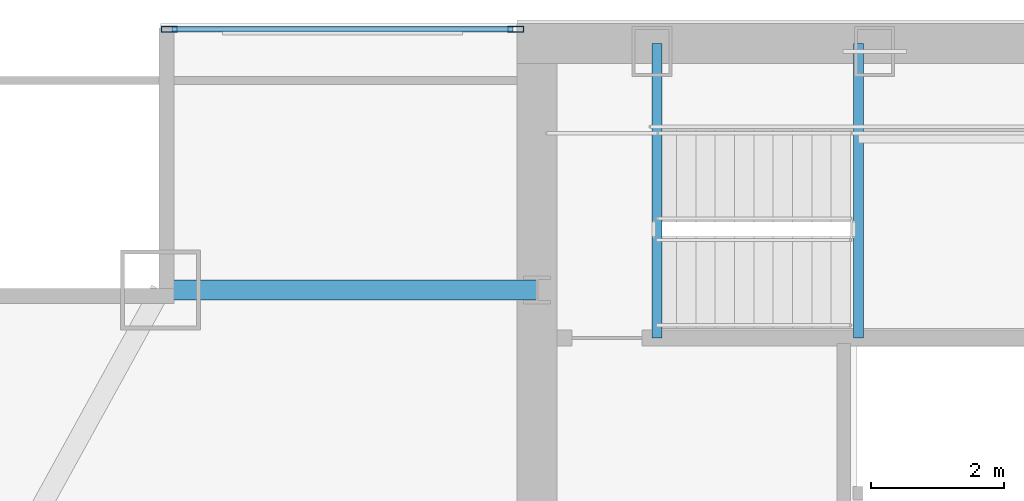
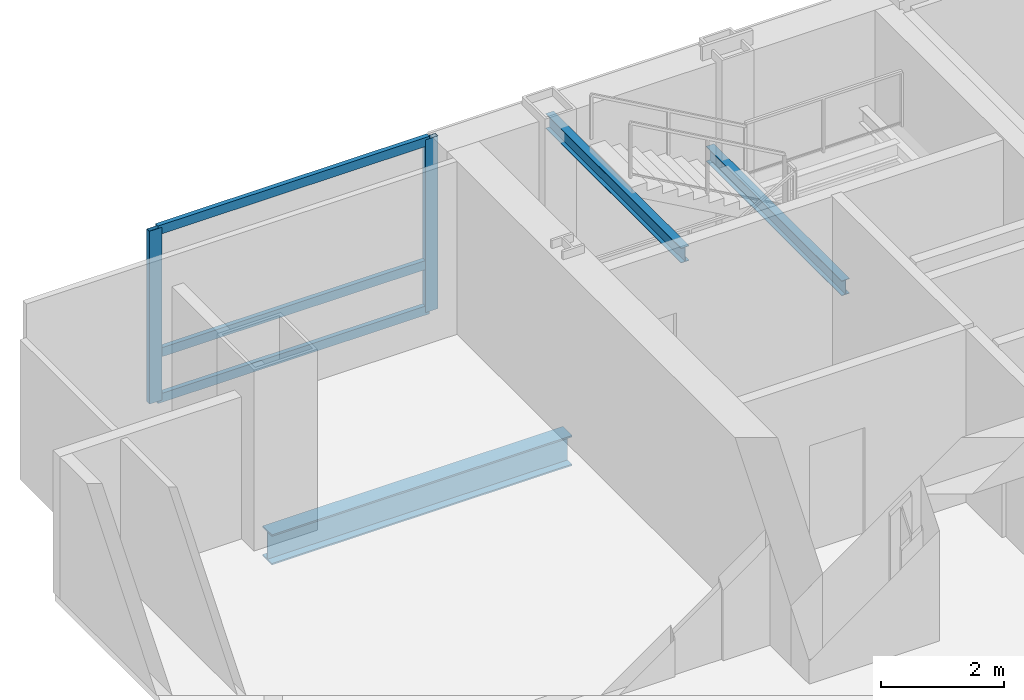
# One storey, part 23 of 32: 5 members, 3 beams, 1 element without a shape of its own.
"""IFC4 building model written with IfcOpenShell, lengths in metres."""

from ifc_helpers import new_model, si_unit, direction, frame, origin, origin_2d, place, context, subcontext, project, spatial, hollow_rectangle, i_section, extrude, material, material_profile, profile_set, type_object, element, aggregate, save


model = new_model("IFC4")

# Units and contexts
model_context = context("Model", 3, precision=1e-05, world=origin(), true_north=direction((0.0, 1.0)))
body_context = subcontext(model_context, "Body", "Model", "MODEL_VIEW")
ifc_project = project(units=[si_unit("LENGTHUNIT", "METRE"), si_unit("AREAUNIT", "SQUARE_METRE"), si_unit("VOLUMEUNIT", "CUBIC_METRE"), si_unit("PLANEANGLEUNIT", "RADIAN"), si_unit("MASSUNIT", "GRAM", prefix="KILO")], contexts=[model_context])

# Site, building, storey
site_placement = place(None, origin())
site = spatial("IfcSite", under=ifc_project, at=site_placement, CompositionType="ELEMENT")
building_placement = place(site_placement, origin())
building = spatial("IfcBuilding", under=site, at=building_placement, Name="Khoronbel Lancet Exchange", CompositionType="ELEMENT")
storey_placement = place(building_placement, frame((0.0, 0.0, 228.199951171875)))
storey = spatial("IfcBuildingStorey", under=building, at=storey_placement, Name="L58", CompositionType="ELEMENT", Elevation=228.199951171875)

# Beams
ifc_material_1 = material(Name="Steel S355", Category="steel")
ifc_material_profile_1 = material_profile(ifc_material_1, i_section(OverallWidth=0.14990234375, OverallDepth=0.300048828125, WebThickness=0.007080078125, FlangeThickness=0.0107421875, at=origin_2d()), Name="IPE 300")
ifc_profile_set_1 = profile_set([ifc_material_profile_1], Name="Steel S355")
beam_type_1 = type_object("IfcBeamType", Name="BM-BJ8", PredefinedType="JOIST", material=ifc_profile_set_1)
for number, where, z_axis, x_axis, name in (
    (1, (21.320068359375, 48.97998046875, 1.449951171875), (0.0, 1.0, 0.0), (-1.0, 0.0, 0.0), "Level L58 stair ST1 landing bearer beam 1"),
    (2, (18.300048828125, 48.97998046875, 3.16015625), (0.0, 1.0, 0.0), (-1.0, 0.0, 0.0), "Level L58 stair ST1 upper-flight arrival trimmer beam"),
):
    element("IfcBeam", number, at=place(storey_placement, frame(where, z_axis=z_axis, x_axis=x_axis)), inside=storey, type_object=beam_type_1, Name=name, PredefinedType="JOIST", context=body_context, shape_type="SweptSolid", body=[
        extrude(i_section(OverallWidth=0.14990234375, OverallDepth=0.300048828125, WebThickness=0.007080078125, FlangeThickness=0.0107421875, at=origin_2d()), origin(), (0.0, 0.0, 1.0), 4.419921875),
    ])
ifc_material_profile_2 = material_profile(ifc_material_1, i_section(OverallWidth=0.300048828125, OverallDepth=0.60009765625, WebThickness=0.015380859375, FlangeThickness=0.030029296875, at=origin_2d()), Name="HEB 600")
ifc_profile_set_2 = profile_set([ifc_material_profile_2], Name="Steel S355")
beam_type_2 = type_object("IfcBeamType", Name="BM-BSP2", PredefinedType="SPANDREL", material=ifc_profile_set_2)
beam_placement = place(storey_placement, frame((10.85009765625, 49.699951171875, -0.4599609375), z_axis=(1.0, 0.0, 0.0), x_axis=(0.0, 1.0, 0.0)))
element("IfcBeam", 3, at=beam_placement, inside=storey, type_object=beam_type_2, Name="Level L58 north flank tie spandrel SP22", PredefinedType="SPANDREL", context=body_context, shape_type="SweptSolid", body=[
    extrude(i_section(OverallWidth=0.300048828125, OverallDepth=0.60009765625, WebThickness=0.015380859375, FlangeThickness=0.030029296875, at=origin_2d()), origin(), (0.0, 0.0, 1.0), 5.64990234375),
])

# Curtain wall, members
ifc_material_2 = material(Name="Low-E Solar Control Insulating Glass", Category="glass")
curtain_wall_type = type_object("IfcCurtainWallType", Name="CW-3", PredefinedType="NOTDEFINED", material=ifc_material_2)
curtain_wall_placement = place(storey_placement, origin())
curtain_wall = element("IfcCurtainWall", 4, at=curtain_wall_placement, inside=storey, type_object=curtain_wall_type, Name="Unitised curtain wall CW-L58-NWFLK", PredefinedType="NOTDEFINED")
ifc_material_3 = material(Name="Bronze-Anodised Aluminium 6063-T6", Category="aluminium")
ifc_material_profile_3 = material_profile(ifc_material_3, hollow_rectangle(XDim=0.0849609375, YDim=0.239990234375, WallThickness=0.006103515625, at=origin_2d()), Name="ALU MULLION 85x240")
ifc_profile_set_3 = profile_set([ifc_material_profile_3], Name="Bronze-Anodised Aluminium 6063-T6")
member_type_1 = type_object("IfcMemberType", Name="MEM-CWM1", PredefinedType="MULLION", material=ifc_profile_set_3)
member_1_placement = place(storey_placement, frame((16.177490234375, 53.610107421875, 0.0), z_axis=(0.0, 0.0, 1.0), x_axis=(0.0, -1.0, 0.0)))
member_1 = element("IfcMember", 5, at=member_1_placement, type_object=member_type_1, Name="CW3 mullion 1", PredefinedType="MULLION", context=body_context, shape_type="SweptSolid", body=[
    extrude(hollow_rectangle(XDim=0.0849609375, YDim=0.239990234375, WallThickness=0.006103515625, at=origin_2d()), origin(), (0.0, 0.0, 1.0), 3.43994140625),
])
member_2_placement = place(storey_placement, frame((10.982421875, 53.610107421875, 0.0), z_axis=(0.0, 0.0, 1.0), x_axis=(0.0, -1.0, 0.0)))
member_2 = element("IfcMember", 6, at=member_2_placement, type_object=member_type_1, Name="CW3 mullion 2", PredefinedType="MULLION", context=body_context, shape_type="SweptSolid", body=[
    extrude(hollow_rectangle(XDim=0.0849609375, YDim=0.239990234375, WallThickness=0.006103515625, at=origin_2d()), origin(), (0.0, 0.0, 1.0), 3.43994140625),
])
ifc_material_profile_4 = material_profile(ifc_material_3, hollow_rectangle(XDim=0.0849609375, YDim=0.179931640625, WallThickness=0.0048828125, at=origin_2d()), Name="ALU TRANSOM 85x180")
ifc_profile_set_4 = profile_set([ifc_material_profile_4], Name="Bronze-Anodised Aluminium 6063-T6")
member_type_2 = type_object("IfcMemberType", Name="MEM-CWT1", PredefinedType="USERDEFINED", material=ifc_profile_set_4)
member_3_placement = place(storey_placement, frame((16.135009765625, 53.610107421875, 0.04248046875), z_axis=(-1.0, 0.0, 0.0), x_axis=(0.0, -1.0, 0.0)))
member_3 = element("IfcMember", 7, at=member_3_placement, type_object=member_type_2, Name="CW3 transom 1.1", ObjectType="TRANSOM", PredefinedType="USERDEFINED", context=body_context, shape_type="SweptSolid", body=[
    extrude(hollow_rectangle(XDim=0.0849609375, YDim=0.179931640625, WallThickness=0.0048828125, at=origin_2d()), origin(), (0.0, 0.0, 1.0), 5.110107421875),
])
member_4_placement = place(storey_placement, frame((16.135009765625, 53.610107421875, 0.949951171875), z_axis=(-1.0, 0.0, 0.0), x_axis=(0.0, -1.0, 0.0)))
member_4 = element("IfcMember", 8, at=member_4_placement, type_object=member_type_2, Name="CW3 transom 1.2", ObjectType="TRANSOM", PredefinedType="USERDEFINED", context=body_context, shape_type="SweptSolid", body=[
    extrude(hollow_rectangle(XDim=0.0849609375, YDim=0.179931640625, WallThickness=0.0048828125, at=origin_2d()), origin(), (0.0, 0.0, 1.0), 5.110107421875),
])
member_5_placement = place(storey_placement, frame((16.135009765625, 53.610107421875, 3.3974609375), z_axis=(-1.0, 0.0, 0.0), x_axis=(0.0, -1.0, 0.0)))
member_5 = element("IfcMember", 9, at=member_5_placement, type_object=member_type_2, Name="CW3 transom 1.3", ObjectType="TRANSOM", PredefinedType="USERDEFINED", context=body_context, shape_type="SweptSolid", body=[
    extrude(hollow_rectangle(XDim=0.0849609375, YDim=0.179931640625, WallThickness=0.0048828125, at=origin_2d()), origin(), (0.0, 0.0, 1.0), 5.110107421875),
])
aggregate(curtain_wall, [member_1, member_2, member_3, member_4, member_5])

save(model, "model.ifc")
